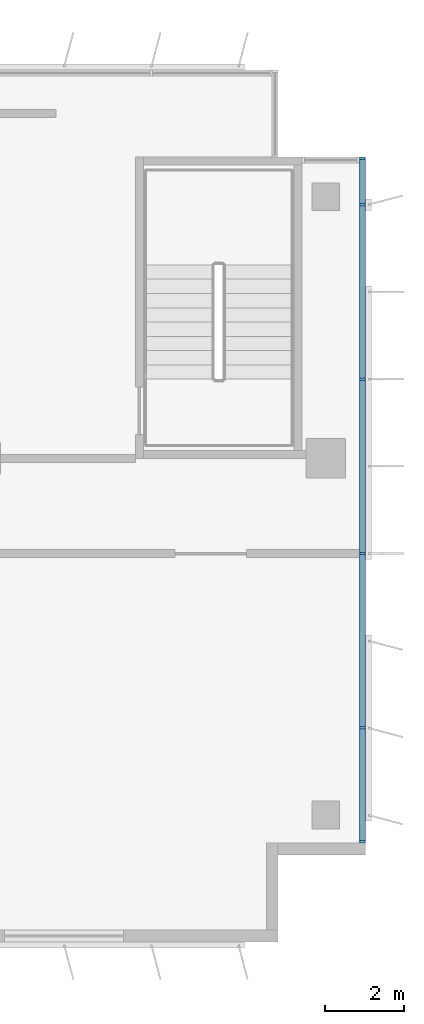
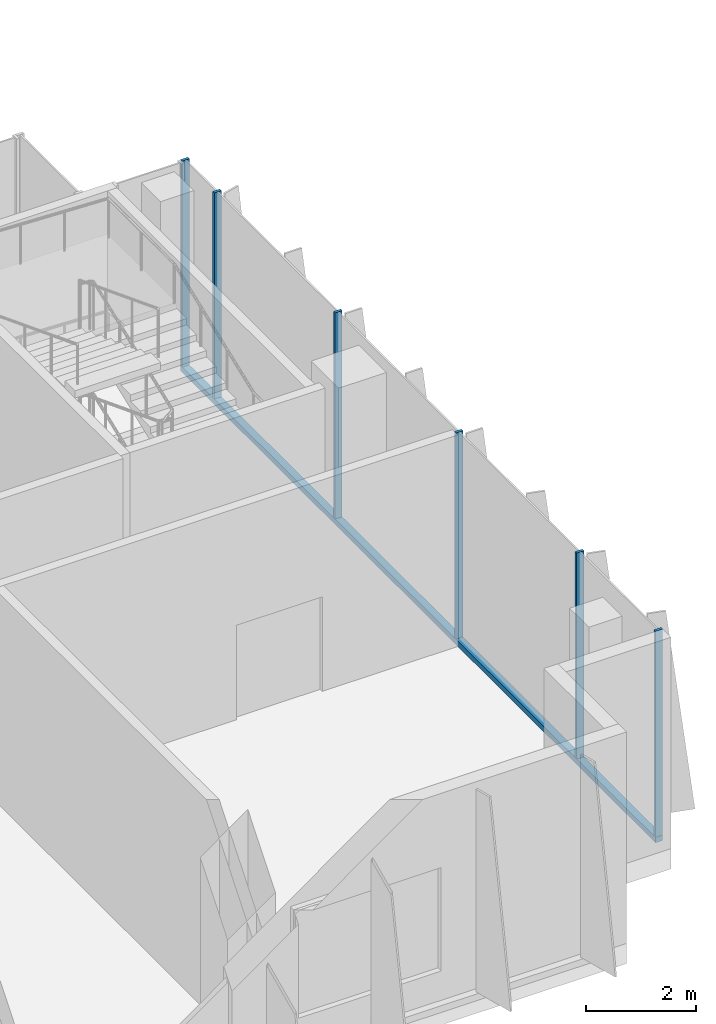
# One storey, part 7 of 17: 7 members, 1 element without a shape of its own.
"""IFC4 building model written with IfcOpenShell, lengths in metres."""

from ifc_helpers import new_model, si_unit, direction, frame, origin, origin_2d, place, context, subcontext, project, spatial, rectangle, extrude, source, transform, mapped, material, material_profile, profile_set, type_object, element, aggregate, save


model = new_model("IFC4")

# Units and contexts
model_context = context("Model", 3, precision=1e-05, world=origin(), true_north=direction((0.0, 1.0)))
body_context = subcontext(model_context, "Body", "Model", "MODEL_VIEW")
ifc_project = project(units=[si_unit("LENGTHUNIT", "METRE"), si_unit("AREAUNIT", "SQUARE_METRE"), si_unit("VOLUMEUNIT", "CUBIC_METRE"), si_unit("PLANEANGLEUNIT", "RADIAN"), si_unit("MASSUNIT", "GRAM", prefix="KILO")], contexts=[model_context])

# Site, building, storey
site_placement = place(None, origin())
site = spatial("IfcSite", under=ifc_project, at=site_placement, CompositionType="ELEMENT")
building_placement = place(site_placement, origin())
building = spatial("IfcBuilding", under=site, at=building_placement, Name="Kemantara Hotel Tower", CompositionType="ELEMENT")
storey_placement = place(building_placement, frame((0.0, 0.0, 193.800048828125)))
storey = spatial("IfcBuildingStorey", under=building, at=storey_placement, Name="L48", CompositionType="ELEMENT", Elevation=193.800048828125)

# Curtain wall, members
ifc_material_1 = material(Name="Low-E tinted double insulated glass 36 mm", Category="glass")
curtain_wall_type = type_object("IfcCurtainWallType", Name="TOWER CURTAIN WALL, FRONT FACES", PredefinedType="USERDEFINED", material=ifc_material_1)
curtain_wall_placement = place(storey_placement, origin())
curtain_wall = element("IfcCurtainWall", 1, at=curtain_wall_placement, inside=storey, type_object=curtain_wall_type, Name="CW4 L48 T3-R11-1", ObjectType="TOWER CURTAIN WALL, FRONT FACES", PredefinedType="USERDEFINED")
ifc_material_2 = material(Name="Aluminium 6063-T6 bronze anodised", Category="aluminium")
ifc_material_profile_1 = material_profile(ifc_material_2, rectangle(XDim=0.14990234375, YDim=0.1201171875, at=origin_2d()), Name="TOWER CURTAIN WALL, FRONT FACES TRANSOM")
ifc_profile_set_1 = profile_set([ifc_material_profile_1], Name="Aluminium 6063-T6 bronze anodised")
member_type_1 = type_object("IfcMemberType", Name="TOWER CURTAIN WALL, FRONT FACES TRANSOM", PredefinedType="USERDEFINED", material=ifc_profile_set_1)
member_1_placement = place(storey_placement, frame((63.52490234375, 2.5, 0.06005859375), z_axis=(0.0, 1.0, 0.0), x_axis=(-1.0, 0.0, 0.0)))
member_1 = element("IfcMember", 2, at=member_1_placement, type_object=member_type_1, Name="CW4 sill transom T3-R11-1", ObjectType="TRANSOM", PredefinedType="USERDEFINED", context=body_context, shape_type="SweptSolid", body=[
    extrude(rectangle(XDim=0.14990234375, YDim=0.1201171875, at=origin_2d()), origin(), (0.0, 0.0, 1.0), 17.300048828125),
])
ifc_material_profile_2 = material_profile(ifc_material_2, rectangle(XDim=0.14990234375, YDim=0.06005859375, at=origin_2d()), Name="TOWER CURTAIN WALL, FRONT FACES MULLION")
ifc_profile_set_2 = profile_set([ifc_material_profile_2], Name="Aluminium 6063-T6 bronze anodised")
member_type_2 = type_object("IfcMemberType", Name="TOWER CURTAIN WALL, FRONT FACES MULLION", PredefinedType="MULLION", material=ifc_profile_set_2)
shared_shape = source(origin(), body_context, "Body", "SweptSolid", [
    extrude(rectangle(XDim=0.14990234375, YDim=0.06005859375, at=origin_2d()), origin(), (0.0, 0.0, 1.0), 4.580078125),
])
member_2_placement = place(storey_placement, frame((63.52490234375, 2.530029296875, 0.119873046875), z_axis=(0.0, 0.0, 1.0), x_axis=(-1.0, 0.0, 0.0)))
member_2 = element("IfcMember", 3, at=member_2_placement, type_object=member_type_2, Name="CW4 mullion T3-R11-1.1", PredefinedType="MULLION", context=body_context, shape_type="MappedRepresentation", body=[
    mapped(shared_shape, transform((0.0, 0.0, 0.0))),
])
member_3_placement = place(storey_placement, frame((63.52490234375, 5.39990234375, 0.119873046875), z_axis=(0.0, 0.0, 1.0), x_axis=(-1.0, 0.0, 0.0)))
member_3 = element("IfcMember", 4, at=member_3_placement, type_object=member_type_2, Name="CW4 mullion T3-R11-1.2", PredefinedType="MULLION", context=body_context, shape_type="MappedRepresentation", body=[
    mapped(shared_shape, transform((0.0, 0.0, 0.0))),
])
member_4_placement = place(storey_placement, frame((63.52490234375, 9.800048828125, 0.119873046875), z_axis=(0.0, 0.0, 1.0), x_axis=(-1.0, 0.0, 0.0)))
member_4 = element("IfcMember", 5, at=member_4_placement, type_object=member_type_2, Name="CW4 mullion T3-R11-1.3", PredefinedType="MULLION", context=body_context, shape_type="MappedRepresentation", body=[
    mapped(shared_shape, transform((0.0, 0.0, 0.0))),
])
member_5_placement = place(storey_placement, frame((63.52490234375, 14.199951171875, 0.119873046875), z_axis=(0.0, 0.0, 1.0), x_axis=(-1.0, 0.0, 0.0)))
member_5 = element("IfcMember", 6, at=member_5_placement, type_object=member_type_2, Name="CW4 mullion T3-R11-1.4", PredefinedType="MULLION", context=body_context, shape_type="MappedRepresentation", body=[
    mapped(shared_shape, transform((0.0, 0.0, 0.0))),
])
member_6_placement = place(storey_placement, frame((63.52490234375, 18.60009765625, 0.119873046875), z_axis=(0.0, 0.0, 1.0), x_axis=(-1.0, 0.0, 0.0)))
member_6 = element("IfcMember", 7, at=member_6_placement, type_object=member_type_2, Name="CW4 mullion T3-R11-1.5", PredefinedType="MULLION", context=body_context, shape_type="MappedRepresentation", body=[
    mapped(shared_shape, transform((0.0, 0.0, 0.0))),
])
member_7_placement = place(storey_placement, frame((63.52490234375, 19.77001953125, 0.119873046875), z_axis=(0.0, 0.0, 1.0), x_axis=(-1.0, 0.0, 0.0)))
member_7 = element("IfcMember", 8, at=member_7_placement, type_object=member_type_2, Name="CW4 mullion T3-R11-1.6", PredefinedType="MULLION", context=body_context, shape_type="MappedRepresentation", body=[
    mapped(shared_shape, transform((0.0, 0.0, 0.0))),
])
aggregate(curtain_wall, [member_1, member_2, member_3, member_4, member_5, member_6, member_7])

save(model, "model.ifc")
